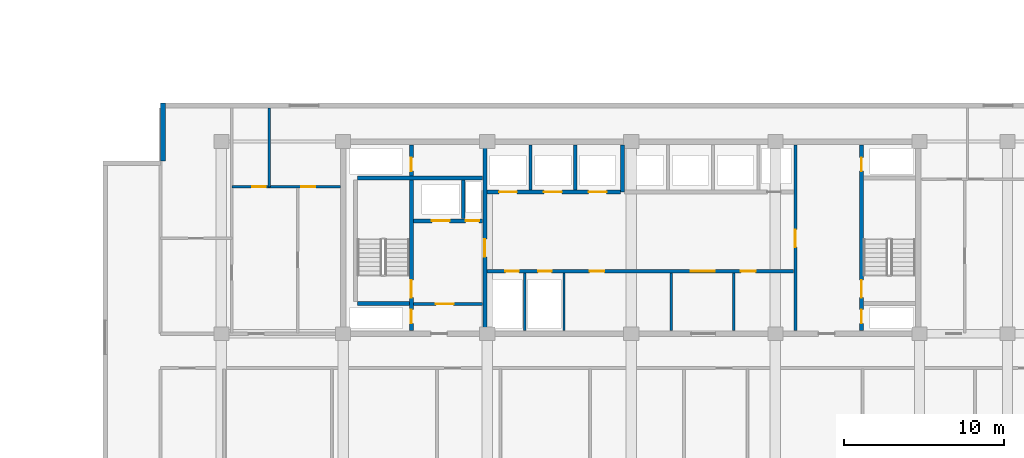
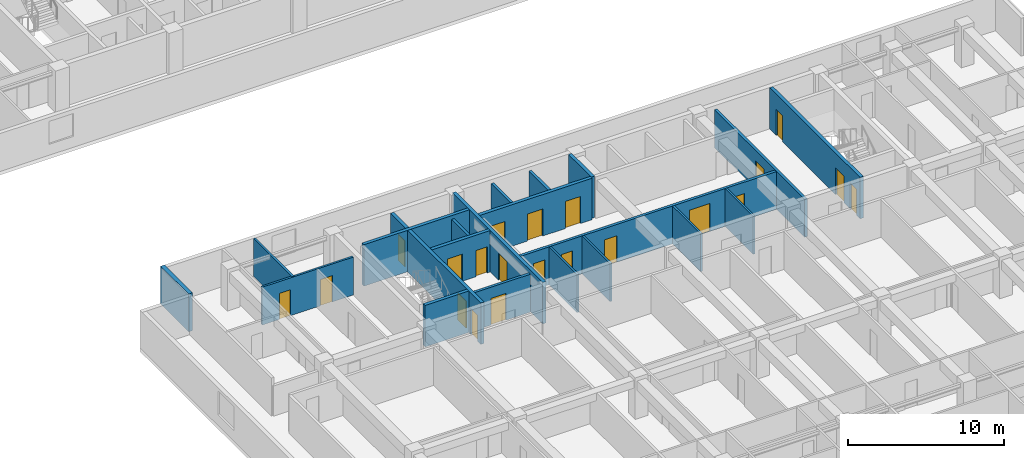
# One storey, part 7 of 24: 21 doors, 21 walls, 21 openings.
"""IFC4 building model written with IfcOpenShell, lengths in metres."""

from ifc_helpers import new_model, si_unit, direction, frame, frame_2d, origin, place, context, subcontext, project, spatial, rectangle, extrude, material, layer, layer_set, type_object, element, fill, save


model = new_model("IFC4")

# Units and contexts
model_context = context("Model", 3, precision=1e-05, world=origin(), true_north=direction((0.0, 1.0)))
body_context = subcontext(model_context, "Body", "Model", "MODEL_VIEW")
ifc_project = project(units=[si_unit("LENGTHUNIT", "METRE"), si_unit("AREAUNIT", "SQUARE_METRE"), si_unit("VOLUMEUNIT", "CUBIC_METRE"), si_unit("PLANEANGLEUNIT", "RADIAN"), si_unit("MASSUNIT", "GRAM", prefix="KILO")], contexts=[model_context])

# Site, building, storey
site_placement = place(None, origin())
site = spatial("IfcSite", under=ifc_project, at=site_placement, CompositionType="ELEMENT")
building_placement = place(site_placement, origin())
building = spatial("IfcBuilding", under=site, at=building_placement, Name="Korimba Cascade Residences", CompositionType="ELEMENT")
storey_placement = place(building_placement, frame((0.0, 0.0, 43.5)))
storey = spatial("IfcBuildingStorey", under=building, at=storey_placement, Name="L11", CompositionType="ELEMENT", Elevation=43.5)

# Walls
ifc_material_1 = material(Name="Precast concrete C40/50", Category="concrete")
ifc_layer_1 = layer(ifc_material_1, 0.300048828125)
ifc_layer_set_1 = layer_set([ifc_layer_1], Name="Precast concrete C40/50")
wall_type_1 = type_object("IfcWallType", Name="EW-STONE-300", PredefinedType="STANDARD", material=ifc_layer_set_1)
wall_1_placement = place(storey_placement, frame((70.85009765625, 32.800048828125, 0.0), z_axis=(0.0, 0.0, 1.0), x_axis=(0.0, -1.0, 0.0)))
element("IfcWall", 1, at=wall_1_placement, inside=storey, type_object=wall_type_1, Name="L11 T2 Perimeter Stone Wall E07", PredefinedType="STANDARD", context=body_context, shape_type="SweptSolid", body=[
    extrude(rectangle(XDim=3.60009765625, YDim=0.300048828125, at=frame_2d((1.800048828125, 0.0))), origin(), (0.0, 0.0, 1.0), 2.969970703125),
])
ifc_material_2 = material(Name="Insulated Acoustic Stud Partition", Category="gypsum")
ifc_layer_2 = layer(ifc_material_2, 0.14990234375)
ifc_layer_set_2 = layer_set([ifc_layer_2], Name="Insulated Acoustic Stud Partition")
wall_type_2 = type_object("IfcWallType", Name="WAL-PART-150", PredefinedType="PARTITIONING", material=ifc_layer_set_2)
for number, where, z_axis, x_axis, name in (
    (2, (93.449951171875, 18.60009765625, 0.0), (0.0, 0.0, 1.0), (0.0, 1.0, 0.0), "L11 Partition Wall CW-L11-T2-ERDIV"),
    (3, (95.89990234375, 18.60009765625, 0.0), (0.0, 0.0, 1.0), (0.0, 1.0, 0.0), "L11 Partition Wall CW-L11-T2-PRDIV"),
    (4, (102.60009765625, 18.60009765625, 0.0), (0.0, 0.0, 1.0), (0.0, 1.0, 0.0), "L11 Partition Wall CW-L11-T2-THW"),
    (5, (106.5, 18.60009765625, 0.0), (0.0, 0.0, 1.0), (0.0, 1.0, 0.0), "L11 Partition Wall CW-L11-T2-THE"),
):
    element("IfcWall", number, at=place(storey_placement, frame(where, z_axis=z_axis, x_axis=x_axis)), inside=storey, type_object=wall_type_2, Name=name, PredefinedType="PARTITIONING", context=body_context, shape_type="SweptSolid", body=[
        extrude(rectangle(XDim=3.599853515625, YDim=0.14990234375, at=frame_2d((1.7998046875, 0.0))), origin(), (0.0, 0.0, 1.0), 2.969970703125),
    ])
wall_2_placement = place(storey_placement, frame((77.5, 27.570068359375, 0.0), z_axis=(0.0, 0.0, 1.0), x_axis=(0.0, 1.0, 0.0)))
element("IfcWall", 6, at=wall_2_placement, inside=storey, type_object=wall_type_2, Name="L11 Partition Wall WAL-L11-T2-FW-VN", PredefinedType="PARTITIONING", context=body_context, shape_type="SweptSolid", body=[
    extrude(rectangle(XDim=4.929931640625, YDim=0.14990234375, at=frame_2d((2.46484375, 0.0))), origin(), (0.0, 0.0, 1.0), 2.969970703125),
])

# Wall, openings, doors
wall_3_placement = place(storey_placement, frame((75.169921875, 27.570068359375, 0.0), z_axis=(0.0, 0.0, 1.0), x_axis=(1.0, 0.0, 0.0)))
wall_3 = element("IfcWall", 7, at=wall_3_placement, inside=storey, type_object=wall_type_2, Name="L11 Partition Wall WAL-L11-T2-FW-H", PredefinedType="PARTITIONING", context=body_context, shape_type="SweptSolid", body=[
    extrude(rectangle(XDim=6.760009765625, YDim=0.14990234375, at=frame_2d((3.3798828125, 0.0))), origin(), (0.0, 0.0, 1.0), 2.969970703125),
])
opening_1_placement = place(wall_3_placement, frame((1.266357421875, 0.0, 0.0)))
opening_1 = element("IfcOpeningElement", 8, at=opening_1_placement, cuts=wall_3, Name="Opening D-BT1", PredefinedType="OPENING", context=body_context, shape_type="SweptSolid", body=[
    extrude(rectangle(XDim=0.840087890625, YDim=2.0400390625, at=frame_2d((0.419921875, 1.02001953125))), frame((0.0, 0.0849609375, 0.0), z_axis=(0.0, -1.0, 0.0), x_axis=(1.0, 0.0, 0.0)), (0.0, 0.0, 1.0), 0.169921875),
])
opening_2_placement = place(wall_3_placement, frame((4.320068359375, 0.0, 0.0)))
opening_2 = element("IfcOpeningElement", 9, at=opening_2_placement, cuts=wall_3, Name="Opening D-IN2", PredefinedType="OPENING", context=body_context, shape_type="SweptSolid", body=[
    extrude(rectangle(XDim=0.8798828125, YDim=2.06005859375, at=frame_2d((0.43994140625, 1.030029296875))), frame((0.0, 0.0849609375, 0.0), z_axis=(0.0, -1.0, 0.0), x_axis=(1.0, 0.0, 0.0)), (0.0, 0.0, 1.0), 0.169921875),
])
ifc_material_3 = material(Name="Moisture-Resistant Bathroom Timber Door", Category="wood")
door_type_1 = type_object("IfcDoorType", Name="DR-INT-850", OperationType="NOTDEFINED", PredefinedType="DOOR", material=ifc_material_3)
door_1_placement = place(opening_1_placement, origin())
door_1 = element("IfcDoor", 10, at=door_1_placement, inside=storey, type_object=door_type_1, Name="L11-T2-FW Bathroom Door", OperationType="SINGLE_SWING_LEFT", OverallHeight=2.0400390625, OverallWidth=0.840087890625, PredefinedType="DOOR", context=body_context, shape_type="SweptSolid", body=[
    extrude(rectangle(XDim=0.840087890625, YDim=2.0400390625, at=frame_2d((0.419921875, 1.02001953125))), frame((0.0, 0.02490234375, 0.0), z_axis=(0.0, -1.0, 0.0), x_axis=(1.0, 0.0, 0.0)), (0.0, 0.0, 1.0), 0.050048828125),
])
fill(opening_1, door_1)
ifc_material_4 = material(Name="Acoustic Timber Bedroom Door", Category="wood")
door_type_2 = type_object("IfcDoorType", Name="DR-INT-880", OperationType="NOTDEFINED", PredefinedType="DOOR", material=ifc_material_4)
door_2_placement = place(opening_2_placement, origin())
door_2 = element("IfcDoor", 11, at=door_2_placement, inside=storey, type_object=door_type_2, Name="L11-T2-FW Bedroom Door", OperationType="SINGLE_SWING_RIGHT", OverallHeight=2.06005859375, OverallWidth=0.8798828125, PredefinedType="DOOR", context=body_context, shape_type="SweptSolid", body=[
    extrude(rectangle(XDim=0.8798828125, YDim=2.06005859375, at=frame_2d((0.43994140625, 1.030029296875))), frame((0.0, 0.02490234375, 0.0), z_axis=(0.0, -1.0, 0.0), x_axis=(1.0, 0.0, 0.0)), (0.0, 0.0, 1.0), 0.050048828125),
])
fill(opening_2, door_2)

# Wall
ifc_material_5 = material(Name="Concrete C40/50", Category="concrete")
ifc_layer_3 = layer(ifc_material_5, 0.199951171875)
ifc_layer_set_3 = layer_set([ifc_layer_3], Name="Concrete C40/50")
wall_type_3 = type_object("IfcWallType", Name="WAL-PART-200", PredefinedType="PARTITIONING", material=ifc_layer_set_3)
wall_4_placement = place(storey_placement, frame((89.60009765625, 25.580078125, 0.0), z_axis=(0.0, 0.0, 1.0), x_axis=(0.0, 1.0, 0.0)))
element("IfcWall", 12, at=wall_4_placement, inside=storey, type_object=wall_type_3, Name="L11 Partition Wall CW-L11-T2-FFLDIV", PredefinedType="PARTITIONING", context=body_context, shape_type="SweptSolid", body=[
    extrude(rectangle(XDim=2.419921875, YDim=0.199951171875, at=frame_2d((1.2099609375, 0.0))), origin(), (0.0, 0.0, 1.0), 2.969970703125),
])

# Wall, opening, door
wall_5_placement = place(storey_placement, frame((86.5, 20.25, 0.0), z_axis=(0.0, 0.0, 1.0), x_axis=(1.0, 0.0, 0.0)))
wall_5 = element("IfcWall", 13, at=wall_5_placement, inside=storey, type_object=wall_type_3, Name="L11 Partition Wall CW-L11-T2-FFLS", PredefinedType="PARTITIONING", context=body_context, shape_type="SweptSolid", body=[
    extrude(rectangle(XDim=4.320068359375, YDim=0.199951171875, at=frame_2d((2.16015625, 0.0))), origin(), (0.0, 0.0, 1.0), 2.969970703125),
])
opening_3_placement = place(wall_5_placement, frame((1.39990234375, 0.0, 0.0)))
opening_3 = element("IfcOpeningElement", 14, at=opening_3_placement, cuts=wall_5, Name="Opening D-FD1", PredefinedType="OPENING", context=body_context, shape_type="SweptSolid", body=[
    extrude(rectangle(XDim=1.10009765625, YDim=2.10009765625, at=frame_2d((0.550048828125, 1.050048828125))), frame((0.0, 0.10986328125, 0.0), z_axis=(0.0, -1.0, 0.0), x_axis=(1.0, 0.0, 0.0)), (0.0, 0.0, 1.0), 0.219970703125),
])
ifc_material_6 = material(Name="Fire-Rated Steel Core Door", Category="steel")
door_type_3 = type_object("IfcDoorType", Name="DR-FD120-1100", OperationType="NOTDEFINED", PredefinedType="DOOR", material=ifc_material_6)
door_3_placement = place(opening_3_placement, origin())
door_3 = element("IfcDoor", 15, at=door_3_placement, inside=storey, type_object=door_type_3, Name="L11 T2 Firefighting Lobby Door", OperationType="SINGLE_SWING_LEFT", OverallHeight=2.10009765625, OverallWidth=1.10009765625, PredefinedType="DOOR", context=body_context, shape_type="SweptSolid", body=[
    extrude(rectangle(XDim=1.10009765625, YDim=2.10009765625, at=frame_2d((0.550048828125, 1.050048828125))), frame((0.0, 0.02490234375, 0.0), z_axis=(0.0, -1.0, 0.0), x_axis=(1.0, 0.0, 0.0)), (0.0, 0.0, 1.0), 0.050048828125),
])
fill(opening_3, door_3)

# Walls
for number, where, z_axis, x_axis, name in (
    (16, (93.800048828125, 27.3798828125, 0.0), (0.0, 0.0, 1.0), (0.0, 1.0, 0.0), "L11 Partition Wall CW-L11-T2-B1D1"),
    (17, (96.60009765625, 27.3798828125, 0.0), (0.0, 0.0, 1.0), (0.0, 1.0, 0.0), "L11 Partition Wall CW-L11-T2-B1D2"),
):
    element("IfcWall", number, at=place(storey_placement, frame(where, z_axis=z_axis, x_axis=x_axis)), inside=storey, type_object=wall_type_3, Name=name, PredefinedType="PARTITIONING", context=body_context, shape_type="SweptSolid", body=[
        extrude(rectangle(XDim=2.820068359375, YDim=0.199951171875, at=frame_2d((1.41015625, 0.0))), origin(), (0.0, 0.0, 1.0), 2.969970703125),
    ])

# Wall, openings, doors
wall_6_placement = place(storey_placement, frame((91.080078125, 22.300048828125, 0.0), z_axis=(0.0, 0.0, 1.0), x_axis=(1.0, 0.0, 0.0)))
wall_6 = element("IfcWall", 18, at=wall_6_placement, inside=storey, type_object=wall_type_3, Name="L11 Partition Wall CW-L11-T2-SRVROW", PredefinedType="PARTITIONING", context=body_context, shape_type="SweptSolid", body=[
    extrude(rectangle(XDim=19.139892578125, YDim=0.199951171875, at=frame_2d((9.56982421875, 0.0))), origin(), (0.0, 0.0, 1.0), 2.969970703125),
])
opening_4_placement = place(wall_6_placement, frame((1.14990234375, 0.0, 0.0)))
opening_4 = element("IfcOpeningElement", 19, at=opening_4_placement, cuts=wall_6, Name="Opening D-RS1", PredefinedType="OPENING", context=body_context, shape_type="SweptSolid", body=[
    extrude(rectangle(XDim=0.85009765625, YDim=2.050048828125, at=frame_2d((0.425048828125, 1.02490234375))), frame((0.0, 0.10986328125, 0.0), z_axis=(0.0, -1.0, 0.0), x_axis=(1.0, 0.0, 0.0)), (0.0, 0.0, 1.0), 0.219970703125),
])
opening_5_placement = place(wall_6_placement, frame((3.199951171875, 0.0, 0.0)))
opening_5 = element("IfcOpeningElement", 20, at=opening_5_placement, cuts=wall_6, Name="Opening D-RS1", PredefinedType="OPENING", context=body_context, shape_type="SweptSolid", body=[
    extrude(rectangle(XDim=0.85009765625, YDim=2.050048828125, at=frame_2d((0.425048828125, 1.02490234375))), frame((0.0, 0.10986328125, 0.0), z_axis=(0.0, -1.0, 0.0), x_axis=(1.0, 0.0, 0.0)), (0.0, 0.0, 1.0), 0.219970703125),
])
opening_6_placement = place(wall_6_placement, frame((12.719970703125, 0.0, 0.0)))
opening_6 = element("IfcOpeningElement", 21, at=opening_6_placement, cuts=wall_6, Name="Opening D-FD8", PredefinedType="OPENING", context=body_context, shape_type="SweptSolid", body=[
    extrude(rectangle(XDim=1.5, YDim=2.199951171875, at=frame_2d((0.75, 1.10009765625))), frame((0.0, 0.10986328125, 0.0), z_axis=(0.0, -1.0, 0.0), x_axis=(1.0, 0.0, 0.0)), (0.0, 0.0, 1.0), 0.219970703125),
])
opening_7_placement = place(wall_6_placement, frame((6.419921875, 0.0, 0.0)))
opening_7 = element("IfcOpeningElement", 22, at=opening_7_placement, cuts=wall_6, Name="Opening D-IN1", PredefinedType="OPENING", context=body_context, shape_type="SweptSolid", body=[
    extrude(rectangle(XDim=0.919921875, YDim=2.080078125, at=frame_2d((0.4599609375, 1.0400390625))), frame((0.0, 0.10986328125, 0.0), z_axis=(0.0, -1.0, 0.0), x_axis=(1.0, 0.0, 0.0)), (0.0, 0.0, 1.0), 0.219970703125),
])
opening_8_placement = place(wall_6_placement, frame((15.8701171875, 0.0, 0.0)))
opening_8 = element("IfcOpeningElement", 23, at=opening_8_placement, cuts=wall_6, Name="Opening D-IN1", PredefinedType="OPENING", context=body_context, shape_type="SweptSolid", body=[
    extrude(rectangle(XDim=0.919921875, YDim=2.080078125, at=frame_2d((0.4599609375, 1.0400390625))), frame((0.0, 0.10986328125, 0.0), z_axis=(0.0, -1.0, 0.0), x_axis=(1.0, 0.0, 0.0)), (0.0, 0.0, 1.0), 0.219970703125),
])
ifc_material_7 = material(Name="Fire-Rated Steel Riser Access Door", Category="steel")
door_type_4 = type_object("IfcDoorType", Name="DR-FD60-850", OperationType="NOTDEFINED", PredefinedType="DOOR", material=ifc_material_7)
door_4_placement = place(opening_4_placement, origin())
door_4 = element("IfcDoor", 24, at=door_4_placement, inside=storey, type_object=door_type_4, Name="L11 T2 Electrical Riser Door", OperationType="SINGLE_SWING_RIGHT", OverallHeight=2.050048828125, OverallWidth=0.85009765625, PredefinedType="DOOR", context=body_context, shape_type="SweptSolid", body=[
    extrude(rectangle(XDim=0.85009765625, YDim=2.050048828125, at=frame_2d((0.425048828125, 1.02490234375))), frame((0.0, 0.02490234375, 0.0), z_axis=(0.0, -1.0, 0.0), x_axis=(1.0, 0.0, 0.0)), (0.0, 0.0, 1.0), 0.050048828125),
])
fill(opening_4, door_4)
door_5_placement = place(opening_5_placement, origin())
door_5 = element("IfcDoor", 25, at=door_5_placement, inside=storey, type_object=door_type_4, Name="L11 T2 Plumbing Riser Door", OperationType="SINGLE_SWING_LEFT", OverallHeight=2.050048828125, OverallWidth=0.85009765625, PredefinedType="DOOR", context=body_context, shape_type="SweptSolid", body=[
    extrude(rectangle(XDim=0.85009765625, YDim=2.050048828125, at=frame_2d((0.425048828125, 1.02490234375))), frame((0.0, 0.02490234375, 0.0), z_axis=(0.0, -1.0, 0.0), x_axis=(1.0, 0.0, 0.0)), (0.0, 0.0, 1.0), 0.050048828125),
])
fill(opening_5, door_5)
ifc_material_8 = material(Name="Fire-Rated Glazed Lift Lobby Double Door", Category="glass")
door_type_5 = type_object("IfcDoorType", Name="DR-FD90-1500", OperationType="NOTDEFINED", PredefinedType="DOOR", material=ifc_material_8)
door_6_placement = place(opening_6_placement, origin())
door_6 = element("IfcDoor", 26, at=door_6_placement, inside=storey, type_object=door_type_5, Name="L11 T2 Lift Lobby Foyer Door", OperationType="DOUBLE_DOOR_SINGLE_SWING", OverallHeight=2.199951171875, OverallWidth=1.5, PredefinedType="DOOR", context=body_context, shape_type="SweptSolid", body=[
    extrude(rectangle(XDim=1.5, YDim=2.199951171875, at=frame_2d((0.75, 1.10009765625))), frame((0.0, 0.02490234375, 0.0), z_axis=(0.0, -1.0, 0.0), x_axis=(1.0, 0.0, 0.0)), (0.0, 0.0, 1.0), 0.050048828125),
])
fill(opening_6, door_6)
ifc_material_9 = material(Name="Acoustic Timber Living Door", Category="wood")
door_type_6 = type_object("IfcDoorType", Name="DR-INT-920", OperationType="NOTDEFINED", PredefinedType="DOOR", material=ifc_material_9)
door_7_placement = place(opening_7_placement, origin())
door_7 = element("IfcDoor", 27, at=door_7_placement, inside=storey, type_object=door_type_6, Name="L11 T2 Housekeeping Door", OperationType="SINGLE_SWING_RIGHT", OverallHeight=2.080078125, OverallWidth=0.919921875, PredefinedType="DOOR", context=body_context, shape_type="SweptSolid", body=[
    extrude(rectangle(XDim=0.919921875, YDim=2.080078125, at=frame_2d((0.4599609375, 1.0400390625))), frame((0.0, 0.02490234375, 0.0), z_axis=(0.0, -1.0, 0.0), x_axis=(1.0, 0.0, 0.0)), (0.0, 0.0, 1.0), 0.050048828125),
])
fill(opening_7, door_7)
door_8_placement = place(opening_8_placement, origin())
door_8 = element("IfcDoor", 28, at=door_8_placement, inside=storey, type_object=door_type_6, Name="L11 T2 Store Door", OperationType="SINGLE_SWING_LEFT", OverallHeight=2.080078125, OverallWidth=0.919921875, PredefinedType="DOOR", context=body_context, shape_type="SweptSolid", body=[
    extrude(rectangle(XDim=0.919921875, YDim=2.080078125, at=frame_2d((0.4599609375, 1.0400390625))), frame((0.0, 0.02490234375, 0.0), z_axis=(0.0, -1.0, 0.0), x_axis=(1.0, 0.0, 0.0)), (0.0, 0.0, 1.0), 0.050048828125),
])
fill(opening_8, door_8)

# Wall, opening, door
wall_7_placement = place(storey_placement, frame((110.35009765625, 18.60009765625, 0.0), z_axis=(0.0, 0.0, 1.0), x_axis=(0.0, 1.0, 0.0)))
wall_7 = element("IfcWall", 29, at=wall_7_placement, inside=storey, type_object=wall_type_3, Name="L11 Partition Wall CW-L11-T2-LLEV", PredefinedType="PARTITIONING", context=body_context, shape_type="SweptSolid", body=[
    extrude(rectangle(XDim=11.599853515625, YDim=0.199951171875, at=frame_2d((5.7998046875, 0.0))), origin(), (0.0, 0.0, 1.0), 2.969970703125),
])
opening_9_placement = place(wall_7_placement, frame((5.199951171875, 0.0, 0.0)))
opening_9 = element("IfcOpeningElement", 30, at=opening_9_placement, cuts=wall_7, Name="Opening D-FD6", PredefinedType="OPENING", context=body_context, shape_type="SweptSolid", body=[
    extrude(rectangle(XDim=1.10009765625, YDim=2.14990234375, at=frame_2d((0.550048828125, 1.074951171875))), frame((0.0, 0.10986328125, 0.0), z_axis=(0.0, -1.0, 0.0), x_axis=(1.0, 0.0, 0.0)), (0.0, 0.0, 1.0), 0.219970703125),
])
ifc_material_10 = material(Name="Fire-Rated Timber Stair Lobby Door", Category="wood")
door_type_7 = type_object("IfcDoorType", Name="DR-FD90-1100", OperationType="NOTDEFINED", PredefinedType="DOOR", material=ifc_material_10)
door_9_placement = place(opening_9_placement, origin())
door_9 = element("IfcDoor", 31, at=door_9_placement, inside=storey, type_object=door_type_7, Name="L11 T2 Lift Lobby to East Stair Lobby Door", OperationType="SINGLE_SWING_RIGHT", OverallHeight=2.14990234375, OverallWidth=1.10009765625, PredefinedType="DOOR", context=body_context, shape_type="SweptSolid", body=[
    extrude(rectangle(XDim=1.10009765625, YDim=2.14990234375, at=frame_2d((0.550048828125, 1.074951171875))), frame((0.0, 0.02490234375, 0.0), z_axis=(0.0, -1.0, 0.0), x_axis=(1.0, 0.0, 0.0)), (0.0, 0.0, 1.0), 0.050048828125),
])
fill(opening_9, door_9)

# Wall, openings, doors
ifc_material_11 = material(Name="Concrete C50/60", Category="concrete")
ifc_layer_4 = layer(ifc_material_11, 0.25)
ifc_layer_set_4 = layer_set([ifc_layer_4], Name="Concrete C50/60")
wall_type_4 = type_object("IfcWallType", Name="WAL-SHAFT-250", PredefinedType="SHEAR", material=ifc_layer_set_4)
wall_8_placement = place(storey_placement, frame((86.364990234375, 18.60009765625, 0.0), z_axis=(0.0, 0.0, 1.0), x_axis=(0.0, 1.0, 0.0)))
wall_8 = element("IfcWall", 32, at=wall_8_placement, inside=storey, type_object=wall_type_4, Name="L11 Core Shear Wall CW-L11-T2-STE1E", PredefinedType="SHEAR", context=body_context, shape_type="SweptSolid", body=[
    extrude(rectangle(XDim=11.599853515625, YDim=0.25, at=frame_2d((5.7998046875, 0.0))), origin(), (0.0, 0.0, 1.0), 3.25),
])
opening_10_placement = place(wall_8_placement, frame((0.449951171875, 0.0, 0.0)))
opening_10 = element("IfcOpeningElement", 33, at=opening_10_placement, cuts=wall_8, Name="Opening D-RS1", PredefinedType="OPENING", context=body_context, shape_type="SweptSolid", body=[
    extrude(rectangle(XDim=0.85009765625, YDim=2.050048828125, at=frame_2d((0.425048828125, 1.02490234375))), frame((0.0, 0.135009765625, 0.0), z_axis=(0.0, -1.0, 0.0), x_axis=(1.0, 0.0, 0.0)), (0.0, 0.0, 1.0), 0.27001953125),
])
opening_11_placement = place(wall_8_placement, frame((2.050048828125, 0.0, 0.0)))
opening_11 = element("IfcOpeningElement", 34, at=opening_11_placement, cuts=wall_8, Name="Opening D-FD1", PredefinedType="OPENING", context=body_context, shape_type="SweptSolid", body=[
    extrude(rectangle(XDim=1.10009765625, YDim=2.10009765625, at=frame_2d((0.550048828125, 1.050048828125))), frame((0.0, 0.135009765625, 0.0), z_axis=(0.0, -1.0, 0.0), x_axis=(1.0, 0.0, 0.0)), (0.0, 0.0, 1.0), 0.27001953125),
])
opening_12_placement = place(wall_8_placement, frame((9.949951171875, 0.0, 0.0)))
opening_12 = element("IfcOpeningElement", 35, at=opening_12_placement, cuts=wall_8, Name="Opening D-RS1", PredefinedType="OPENING", context=body_context, shape_type="SweptSolid", body=[
    extrude(rectangle(XDim=0.85009765625, YDim=2.050048828125, at=frame_2d((0.425048828125, 1.02490234375))), frame((0.0, 0.135009765625, 0.0), z_axis=(0.0, -1.0, 0.0), x_axis=(1.0, 0.0, 0.0)), (0.0, 0.0, 1.0), 0.27001953125),
])
door_10_placement = place(opening_11_placement, origin())
door_10 = element("IfcDoor", 36, at=door_10_placement, inside=storey, type_object=door_type_3, Name="L11 Fire Stair ST-E1 Door", OperationType="SINGLE_SWING_RIGHT", OverallHeight=2.10009765625, OverallWidth=1.10009765625, PredefinedType="DOOR", context=body_context, shape_type="SweptSolid", body=[
    extrude(rectangle(XDim=1.10009765625, YDim=2.10009765625, at=frame_2d((0.550048828125, 1.050048828125))), frame((0.0, 0.02490234375, 0.0), z_axis=(0.0, -1.0, 0.0), x_axis=(1.0, 0.0, 0.0)), (0.0, 0.0, 1.0), 0.050048828125),
])
fill(opening_11, door_10)
door_11_placement = place(opening_10_placement, origin())
door_11 = element("IfcDoor", 37, at=door_11_placement, inside=storey, type_object=door_type_4, Name="L11 T2 Hydrant Riser Door", OperationType="SINGLE_SWING_LEFT", OverallHeight=2.050048828125, OverallWidth=0.85009765625, PredefinedType="DOOR", context=body_context, shape_type="SweptSolid", body=[
    extrude(rectangle(XDim=0.85009765625, YDim=2.050048828125, at=frame_2d((0.425048828125, 1.02490234375))), frame((0.0, 0.02490234375, 0.0), z_axis=(0.0, -1.0, 0.0), x_axis=(1.0, 0.0, 0.0)), (0.0, 0.0, 1.0), 0.050048828125),
])
fill(opening_10, door_11)
door_12_placement = place(opening_12_placement, origin())
door_12 = element("IfcDoor", 38, at=door_12_placement, inside=storey, type_object=door_type_4, Name="L11 T2 Smoke Shaft Door", OperationType="SINGLE_SWING_LEFT", OverallHeight=2.050048828125, OverallWidth=0.85009765625, PredefinedType="DOOR", context=body_context, shape_type="SweptSolid", body=[
    extrude(rectangle(XDim=0.85009765625, YDim=2.050048828125, at=frame_2d((0.425048828125, 1.02490234375))), frame((0.0, 0.02490234375, 0.0), z_axis=(0.0, -1.0, 0.0), x_axis=(1.0, 0.0, 0.0)), (0.0, 0.0, 1.0), 0.050048828125),
])
fill(opening_12, door_12)

# Walls
wall_9_placement = place(storey_placement, frame((83.0, 20.27490234375, 0.0), z_axis=(0.0, 0.0, 1.0), x_axis=(1.0, 0.0, 0.0)))
element("IfcWall", 39, at=wall_9_placement, inside=storey, type_object=wall_type_4, Name="L11 Core Shear Wall CW-L11-T2-STE1S", PredefinedType="SHEAR", context=body_context, shape_type="SweptSolid", body=[
    extrude(rectangle(XDim=3.239990234375, YDim=0.25, at=frame_2d((1.6201171875, 0.0))), origin(), (0.0, 0.0, 1.0), 3.25),
])
wall_10_placement = place(storey_placement, frame((83.0, 28.125, 0.0), z_axis=(0.0, 0.0, 1.0), x_axis=(1.0, 0.0, 0.0)))
element("IfcWall", 40, at=wall_10_placement, inside=storey, type_object=wall_type_4, Name="L11 Core Shear Wall CW-L11-T2-STE1N", PredefinedType="SHEAR", context=body_context, shape_type="SweptSolid", body=[
    extrude(rectangle(XDim=7.820068359375, YDim=0.25, at=frame_2d((3.91015625, 0.0))), origin(), (0.0, 0.0, 1.0), 3.25),
])

# Wall, openings, doors
wall_11_placement = place(storey_placement, frame((86.5, 25.449951171875, 0.0), z_axis=(0.0, 0.0, 1.0), x_axis=(1.0, 0.0, 0.0)))
wall_11 = element("IfcWall", 41, at=wall_11_placement, inside=storey, type_object=wall_type_4, Name="L11 Core Shear Wall CW-L11-T2-FFLN", PredefinedType="SHEAR", context=body_context, shape_type="SweptSolid", body=[
    extrude(rectangle(XDim=4.320068359375, YDim=0.25, at=frame_2d((2.16015625, 0.0))), origin(), (0.0, 0.0, 1.0), 3.25),
])
opening_13_placement = place(wall_11_placement, frame((1.139892578125, 0.0, 0.0)))
opening_13 = element("IfcOpeningElement", 42, at=opening_13_placement, cuts=wall_11, Name="Opening LD-01", PredefinedType="OPENING", context=body_context, shape_type="SweptSolid", body=[
    extrude(rectangle(XDim=1.1201171875, YDim=2.1201171875, at=frame_2d((0.56005859375, 1.06005859375))), frame((0.0, 0.135009765625, 0.0), z_axis=(0.0, -1.0, 0.0), x_axis=(1.0, 0.0, 0.0)), (0.0, 0.0, 1.0), 0.27001953125),
])
opening_14_placement = place(wall_11_placement, frame((3.25, 0.0, 0.0)))
opening_14 = element("IfcOpeningElement", 43, at=opening_14_placement, cuts=wall_11, Name="Opening D-RS1", PredefinedType="OPENING", context=body_context, shape_type="SweptSolid", body=[
    extrude(rectangle(XDim=0.85009765625, YDim=2.050048828125, at=frame_2d((0.425048828125, 1.02490234375))), frame((0.0, 0.135009765625, 0.0), z_axis=(0.0, -1.0, 0.0), x_axis=(1.0, 0.0, 0.0)), (0.0, 0.0, 1.0), 0.27001953125),
])
door_13_placement = place(opening_14_placement, origin())
door_13 = element("IfcDoor", 44, at=door_13_placement, inside=storey, type_object=door_type_4, Name="L11 T2 Pressurisation Riser Door", OperationType="SINGLE_SWING_RIGHT", OverallHeight=2.050048828125, OverallWidth=0.85009765625, PredefinedType="DOOR", context=body_context, shape_type="SweptSolid", body=[
    extrude(rectangle(XDim=0.85009765625, YDim=2.050048828125, at=frame_2d((0.425048828125, 1.02490234375))), frame((0.0, 0.02490234375, 0.0), z_axis=(0.0, -1.0, 0.0), x_axis=(1.0, 0.0, 0.0)), (0.0, 0.0, 1.0), 0.050048828125),
])
fill(opening_14, door_13)
ifc_material_12 = material(Name="Stainless Steel Lift Landing Sliding Door", Category="steel")
door_type_8 = type_object("IfcDoorType", Name="DR-LIFT-1100", OperationType="NOTDEFINED", PredefinedType="DOOR", material=ifc_material_12)
door_14_placement = place(opening_13_placement, origin())
door_14 = element("IfcDoor", 45, at=door_14_placement, inside=storey, type_object=door_type_8, Name="L11 Firefighting Lift Landing Door FFL-E1", OperationType="SLIDING_TO_RIGHT", OverallHeight=2.1201171875, OverallWidth=1.1201171875, PredefinedType="DOOR", context=body_context, shape_type="SweptSolid", body=[
    extrude(rectangle(XDim=1.1201171875, YDim=2.1201171875, at=frame_2d((0.56005859375, 1.06005859375))), frame((0.0, 0.02490234375, 0.0), z_axis=(0.0, -1.0, 0.0), x_axis=(1.0, 0.0, 0.0)), (0.0, 0.0, 1.0), 0.050048828125),
])
fill(opening_13, door_14)

# Wall, opening, door
wall_12_placement = place(storey_placement, frame((90.949951171875, 18.60009765625, 0.0), z_axis=(0.0, 0.0, 1.0), x_axis=(0.0, 1.0, 0.0)))
wall_12 = element("IfcWall", 46, at=wall_12_placement, inside=storey, type_object=wall_type_4, Name="L11 Core Shear Wall CW-L11-T2-FFLE", PredefinedType="SHEAR", context=body_context, shape_type="SweptSolid", body=[
    extrude(rectangle(XDim=11.599853515625, YDim=0.25, at=frame_2d((5.7998046875, 0.0))), origin(), (0.0, 0.0, 1.0), 3.25),
])
opening_15_placement = place(wall_12_placement, frame((4.60009765625, 0.0, 0.0)))
opening_15 = element("IfcOpeningElement", 47, at=opening_15_placement, cuts=wall_12, Name="Opening D-FD1", PredefinedType="OPENING", context=body_context, shape_type="SweptSolid", body=[
    extrude(rectangle(XDim=1.10009765625, YDim=2.10009765625, at=frame_2d((0.550048828125, 1.050048828125))), frame((0.0, 0.135009765625, 0.0), z_axis=(0.0, -1.0, 0.0), x_axis=(1.0, 0.0, 0.0)), (0.0, 0.0, 1.0), 0.27001953125),
])
door_15_placement = place(opening_15_placement, origin())
door_15 = element("IfcDoor", 48, at=door_15_placement, inside=storey, type_object=door_type_3, Name="L11 T2 Firefighting Lobby to Lift Lobby Door", OperationType="SINGLE_SWING_RIGHT", OverallHeight=2.10009765625, OverallWidth=1.10009765625, PredefinedType="DOOR", context=body_context, shape_type="SweptSolid", body=[
    extrude(rectangle(XDim=1.10009765625, YDim=2.10009765625, at=frame_2d((0.550048828125, 1.050048828125))), frame((0.0, 0.02490234375, 0.0), z_axis=(0.0, -1.0, 0.0), x_axis=(1.0, 0.0, 0.0)), (0.0, 0.0, 1.0), 0.050048828125),
])
fill(opening_15, door_15)

# Wall, openings, doors
wall_13_placement = place(storey_placement, frame((91.080078125, 27.25, 0.0), z_axis=(0.0, 0.0, 1.0), x_axis=(1.0, 0.0, 0.0)))
wall_13 = element("IfcWall", 49, at=wall_13_placement, inside=storey, type_object=wall_type_4, Name="L11 Core Shear Wall CW-L11-T2-B1S", PredefinedType="SHEAR", context=body_context, shape_type="SweptSolid", body=[
    extrude(rectangle(XDim=8.33984375, YDim=0.25, at=frame_2d((4.169921875, 0.0))), origin(), (0.0, 0.0, 1.0), 3.25),
])
opening_16_placement = place(wall_13_placement, frame((0.760009765625, 0.0, 0.0)))
opening_16 = element("IfcOpeningElement", 50, at=opening_16_placement, cuts=wall_13, Name="Opening LD-01", PredefinedType="OPENING", context=body_context, shape_type="SweptSolid", body=[
    extrude(rectangle(XDim=1.1201171875, YDim=2.1201171875, at=frame_2d((0.56005859375, 1.06005859375))), frame((0.0, 0.135009765625, 0.0), z_axis=(0.0, -1.0, 0.0), x_axis=(1.0, 0.0, 0.0)), (0.0, 0.0, 1.0), 0.27001953125),
])
opening_17_placement = place(wall_13_placement, frame((3.56005859375, 0.0, 0.0)))
opening_17 = element("IfcOpeningElement", 51, at=opening_17_placement, cuts=wall_13, Name="Opening LD-01", PredefinedType="OPENING", context=body_context, shape_type="SweptSolid", body=[
    extrude(rectangle(XDim=1.1201171875, YDim=2.1201171875, at=frame_2d((0.56005859375, 1.06005859375))), frame((0.0, 0.135009765625, 0.0), z_axis=(0.0, -1.0, 0.0), x_axis=(1.0, 0.0, 0.0)), (0.0, 0.0, 1.0), 0.27001953125),
])
opening_18_placement = place(wall_13_placement, frame((6.360107421875, 0.0, 0.0)))
opening_18 = element("IfcOpeningElement", 52, at=opening_18_placement, cuts=wall_13, Name="Opening LD-01", PredefinedType="OPENING", context=body_context, shape_type="SweptSolid", body=[
    extrude(rectangle(XDim=1.1201171875, YDim=2.1201171875, at=frame_2d((0.56005859375, 1.06005859375))), frame((0.0, 0.135009765625, 0.0), z_axis=(0.0, -1.0, 0.0), x_axis=(1.0, 0.0, 0.0)), (0.0, 0.0, 1.0), 0.27001953125),
])
door_16_placement = place(opening_16_placement, origin())
door_16 = element("IfcDoor", 53, at=door_16_placement, inside=storey, type_object=door_type_8, Name="L11 Lift Landing Door PL-E1", OperationType="SLIDING_TO_LEFT", OverallHeight=2.1201171875, OverallWidth=1.1201171875, PredefinedType="DOOR", context=body_context, shape_type="SweptSolid", body=[
    extrude(rectangle(XDim=1.1201171875, YDim=2.1201171875, at=frame_2d((0.56005859375, 1.06005859375))), frame((0.0, 0.02490234375, 0.0), z_axis=(0.0, -1.0, 0.0), x_axis=(1.0, 0.0, 0.0)), (0.0, 0.0, 1.0), 0.050048828125),
])
fill(opening_16, door_16)
door_17_placement = place(opening_17_placement, origin())
door_17 = element("IfcDoor", 54, at=door_17_placement, inside=storey, type_object=door_type_8, Name="L11 Lift Landing Door PL-E2", OperationType="SLIDING_TO_LEFT", OverallHeight=2.1201171875, OverallWidth=1.1201171875, PredefinedType="DOOR", context=body_context, shape_type="SweptSolid", body=[
    extrude(rectangle(XDim=1.1201171875, YDim=2.1201171875, at=frame_2d((0.56005859375, 1.06005859375))), frame((0.0, 0.02490234375, 0.0), z_axis=(0.0, -1.0, 0.0), x_axis=(1.0, 0.0, 0.0)), (0.0, 0.0, 1.0), 0.050048828125),
])
fill(opening_17, door_17)
door_18_placement = place(opening_18_placement, origin())
door_18 = element("IfcDoor", 55, at=door_18_placement, inside=storey, type_object=door_type_8, Name="L11 Lift Landing Door PL-E3", OperationType="SLIDING_TO_LEFT", OverallHeight=2.1201171875, OverallWidth=1.1201171875, PredefinedType="DOOR", context=body_context, shape_type="SweptSolid", body=[
    extrude(rectangle(XDim=1.1201171875, YDim=2.1201171875, at=frame_2d((0.56005859375, 1.06005859375))), frame((0.0, 0.02490234375, 0.0), z_axis=(0.0, -1.0, 0.0), x_axis=(1.0, 0.0, 0.0)), (0.0, 0.0, 1.0), 0.050048828125),
])
fill(opening_18, door_18)

# Wall
wall_14_placement = place(storey_placement, frame((99.550048828125, 27.25, 0.0), z_axis=(0.0, 0.0, 1.0), x_axis=(0.0, 1.0, 0.0)))
element("IfcWall", 56, at=wall_14_placement, inside=storey, type_object=wall_type_4, Name="L11 Core Shear Wall CW-L11-T2-B12DIV", PredefinedType="SHEAR", context=body_context, shape_type="SweptSolid", body=[
    extrude(rectangle(XDim=2.949951171875, YDim=0.25, at=frame_2d((1.47509765625, 0.0))), origin(), (0.0, 0.0, 1.0), 3.25),
])

# Wall, openings, doors
wall_15_placement = place(storey_placement, frame((114.47509765625, 18.60009765625, 0.0), z_axis=(0.0, 0.0, 1.0), x_axis=(0.0, 1.0, 0.0)))
wall_15 = element("IfcWall", 57, at=wall_15_placement, inside=storey, type_object=wall_type_4, Name="L11 Core Shear Wall CW-L11-T2-STE2W", PredefinedType="SHEAR", context=body_context, shape_type="SweptSolid", body=[
    extrude(rectangle(XDim=11.599853515625, YDim=0.25, at=frame_2d((5.7998046875, 0.0))), origin(), (0.0, 0.0, 1.0), 3.25),
])
opening_19_placement = place(wall_15_placement, frame((0.449951171875, 0.0, 0.0)))
opening_19 = element("IfcOpeningElement", 58, at=opening_19_placement, cuts=wall_15, Name="Opening D-RS1", PredefinedType="OPENING", context=body_context, shape_type="SweptSolid", body=[
    extrude(rectangle(XDim=0.85009765625, YDim=2.050048828125, at=frame_2d((0.425048828125, 1.02490234375))), frame((0.0, 0.135009765625, 0.0), z_axis=(0.0, -1.0, 0.0), x_axis=(1.0, 0.0, 0.0)), (0.0, 0.0, 1.0), 0.27001953125),
])
opening_20_placement = place(wall_15_placement, frame((2.050048828125, 0.0, 0.0)))
opening_20 = element("IfcOpeningElement", 59, at=opening_20_placement, cuts=wall_15, Name="Opening D-FD1", PredefinedType="OPENING", context=body_context, shape_type="SweptSolid", body=[
    extrude(rectangle(XDim=1.10009765625, YDim=2.10009765625, at=frame_2d((0.550048828125, 1.050048828125))), frame((0.0, 0.135009765625, 0.0), z_axis=(0.0, -1.0, 0.0), x_axis=(1.0, 0.0, 0.0)), (0.0, 0.0, 1.0), 0.27001953125),
])
opening_21_placement = place(wall_15_placement, frame((9.949951171875, 0.0, 0.0)))
opening_21 = element("IfcOpeningElement", 60, at=opening_21_placement, cuts=wall_15, Name="Opening D-RS1", PredefinedType="OPENING", context=body_context, shape_type="SweptSolid", body=[
    extrude(rectangle(XDim=0.85009765625, YDim=2.050048828125, at=frame_2d((0.425048828125, 1.02490234375))), frame((0.0, 0.135009765625, 0.0), z_axis=(0.0, -1.0, 0.0), x_axis=(1.0, 0.0, 0.0)), (0.0, 0.0, 1.0), 0.27001953125),
])
door_19_placement = place(opening_20_placement, origin())
door_19 = element("IfcDoor", 61, at=door_19_placement, inside=storey, type_object=door_type_3, Name="L11 Fire Stair ST-E2 Door", OperationType="SINGLE_SWING_RIGHT", OverallHeight=2.10009765625, OverallWidth=1.10009765625, PredefinedType="DOOR", context=body_context, shape_type="SweptSolid", body=[
    extrude(rectangle(XDim=1.10009765625, YDim=2.10009765625, at=frame_2d((0.550048828125, 1.050048828125))), frame((0.0, 0.02490234375, 0.0), z_axis=(0.0, -1.0, 0.0), x_axis=(1.0, 0.0, 0.0)), (0.0, 0.0, 1.0), 0.050048828125),
])
fill(opening_20, door_19)
door_20_placement = place(opening_19_placement, origin())
door_20 = element("IfcDoor", 62, at=door_20_placement, inside=storey, type_object=door_type_4, Name="L11 T2 East Hydrant Door", OperationType="SINGLE_SWING_LEFT", OverallHeight=2.050048828125, OverallWidth=0.85009765625, PredefinedType="DOOR", context=body_context, shape_type="SweptSolid", body=[
    extrude(rectangle(XDim=0.85009765625, YDim=2.050048828125, at=frame_2d((0.425048828125, 1.02490234375))), frame((0.0, 0.02490234375, 0.0), z_axis=(0.0, -1.0, 0.0), x_axis=(1.0, 0.0, 0.0)), (0.0, 0.0, 1.0), 0.050048828125),
])
fill(opening_19, door_20)
door_21_placement = place(opening_21_placement, origin())
door_21 = element("IfcDoor", 63, at=door_21_placement, inside=storey, type_object=door_type_4, Name="L11 T2 East Riser Door", OperationType="SINGLE_SWING_LEFT", OverallHeight=2.050048828125, OverallWidth=0.85009765625, PredefinedType="DOOR", context=body_context, shape_type="SweptSolid", body=[
    extrude(rectangle(XDim=0.85009765625, YDim=2.050048828125, at=frame_2d((0.425048828125, 1.02490234375))), frame((0.0, 0.02490234375, 0.0), z_axis=(0.0, -1.0, 0.0), x_axis=(1.0, 0.0, 0.0)), (0.0, 0.0, 1.0), 0.050048828125),
])
fill(opening_21, door_21)

save(model, "model.ifc")
